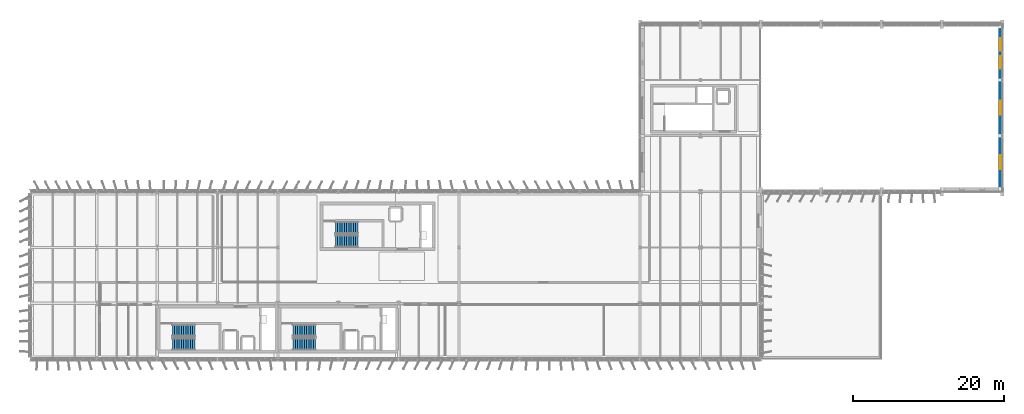
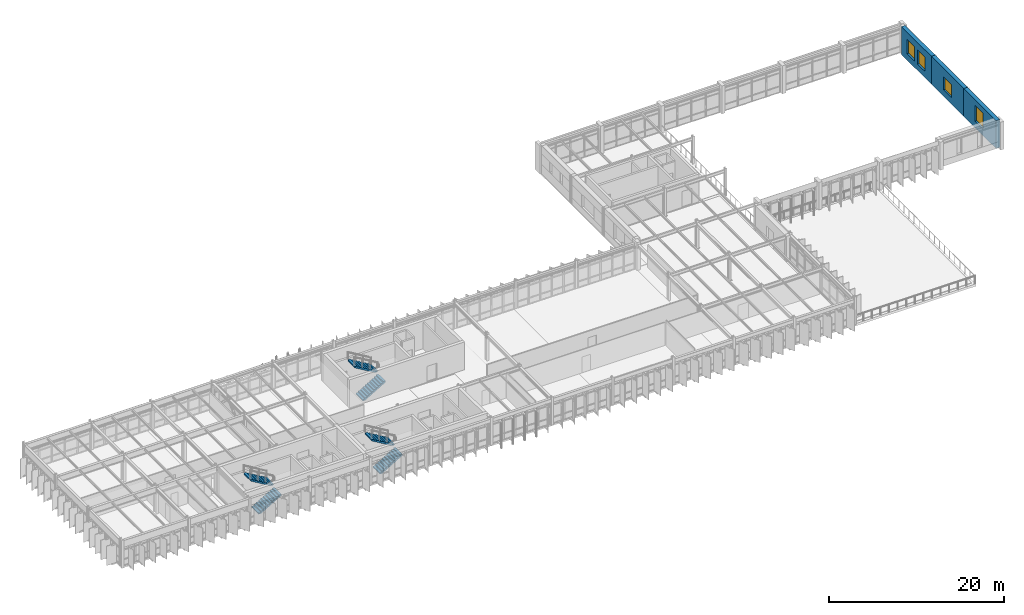
# One storey, part 35 of 45: 6 stair flights, 4 windows, 3 walls, 4 openings, 3 elements without a shape of their own.
"""IFC4 building model written with IfcOpenShell, lengths in metres."""

from ifc_helpers import new_model, si_unit, direction, frame, frame_2d, origin, place, context, subcontext, project, spatial, polyline, rectangle, outline, extrude, material, layer, layer_set, type_object, element, fill, aggregate, save


model = new_model("IFC4")

# Units and contexts
model_context = context("Model", 3, precision=1e-05, world=origin(), true_north=direction((0.0, 1.0)))
body_context = subcontext(model_context, "Body", "Model", "MODEL_VIEW")
ifc_project = project(units=[si_unit("LENGTHUNIT", "METRE"), si_unit("AREAUNIT", "SQUARE_METRE"), si_unit("VOLUMEUNIT", "CUBIC_METRE"), si_unit("PLANEANGLEUNIT", "RADIAN"), si_unit("MASSUNIT", "GRAM", prefix="KILO")], contexts=[model_context])

# Site, building, storey
site_placement = place(None, origin())
site = spatial("IfcSite", under=ifc_project, at=site_placement, CompositionType="ELEMENT")
building_placement = place(site_placement, origin())
building = spatial("IfcBuilding", under=site, at=building_placement, Name="Valkorina Park Police Headquarters", CompositionType="ELEMENT")
storey_placement = place(building_placement, frame((0.0, 0.0, 23.300048828125)))
storey = spatial("IfcBuildingStorey", under=building, at=storey_placement, Name="L06", CompositionType="ELEMENT", Elevation=23.300048828125)

# Wall, openings, windows
ifc_material_1 = material(Name="Precast concrete C40/50", Category="concrete")
ifc_layer_1 = layer(ifc_material_1, 0.5)
ifc_layer_set_1 = layer_set([ifc_layer_1], Name="Precast concrete C40/50")
wall_type = type_object("IfcWallType", Name="WL-EXT-SPANDREL-500", PredefinedType="STANDARD", material=ifc_layer_set_1)
wall_1_placement = place(storey_placement, frame((128.550048828125, 80.840087890625, 0.0), z_axis=(0.0, 0.0, 1.0), x_axis=(0.0, -1.0, 0.0)))
wall_1 = element("IfcWall", 1, at=wall_1_placement, inside=storey, type_object=wall_type, Name="L06 Architectural Concrete Exterior Wall 0271", PredefinedType="STANDARD", context=body_context, shape_type="SweptSolid", body=[
    extrude(rectangle(XDim=6.840087890625, YDim=0.5, at=frame_2d((3.419921875, 0.0))), origin(), (0.0, 0.0, 1.0), 3.89990234375),
])
opening_1_placement = place(wall_1_placement, frame((1.278076171875, 0.0, 0.89990234375)))
opening_1 = element("IfcOpeningElement", 2, at=opening_1_placement, cuts=wall_1, Name="Opening WN-28", PredefinedType="OPENING", context=body_context, shape_type="SweptSolid", body=[
    extrude(rectangle(XDim=1.699951171875, YDim=2.0, at=frame_2d((0.85009765625, 1.0))), frame((0.0, 0.260009765625, 0.0), z_axis=(0.0, -1.0, 0.0), x_axis=(1.0, 0.0, 0.0)), (0.0, 0.0, 1.0), 0.52001953125),
])
opening_2_placement = place(wall_1_placement, frame((3.672119140625, 0.0, 0.89990234375)))
opening_2 = element("IfcOpeningElement", 3, at=opening_2_placement, cuts=wall_1, Name="Opening WN-28", PredefinedType="OPENING", context=body_context, shape_type="SweptSolid", body=[
    extrude(rectangle(XDim=1.699951171875, YDim=2.0, at=frame_2d((0.85009765625, 1.0))), frame((0.0, 0.260009765625, 0.0), z_axis=(0.0, -1.0, 0.0), x_axis=(1.0, 0.0, 0.0)), (0.0, 0.0, 1.0), 0.52001953125),
])
ifc_material_2 = material(Name="Triple low-E insulated glazing", Category="glass")
ifc_layer_2 = layer(ifc_material_2, 0.06005859375)
ifc_layer_set_2 = layer_set([ifc_layer_2], Name="Triple low-E insulated glazing")
window_type_1 = type_object("IfcWindowType", Name="WN-COURT-1700x2000", PartitioningType="SINGLE_PANEL", PredefinedType="WINDOW", material=ifc_layer_set_2)
window_1_placement = place(opening_1_placement, origin())
window_1 = element("IfcWindow", 4, at=window_1_placement, inside=storey, type_object=window_type_1, Name="Window L06-0458", OverallHeight=2.0, OverallWidth=1.699951171875, PartitioningType="SINGLE_PANEL", PredefinedType="WINDOW", context=body_context, shape_type="SweptSolid", body=[
    extrude(rectangle(XDim=1.699951171875, YDim=2.0, at=frame_2d((0.85009765625, 1.0))), frame((0.0, 0.030029296875, 0.0), z_axis=(0.0, -1.0, 0.0), x_axis=(1.0, 0.0, 0.0)), (0.0, 0.0, 1.0), 0.06005859375),
])
fill(opening_1, window_1)
window_2_placement = place(opening_2_placement, origin())
window_2 = element("IfcWindow", 5, at=window_2_placement, inside=storey, type_object=window_type_1, Name="Window L06-0459", OverallHeight=2.0, OverallWidth=1.699951171875, PartitioningType="SINGLE_PANEL", PredefinedType="WINDOW", context=body_context, shape_type="SweptSolid", body=[
    extrude(rectangle(XDim=1.699951171875, YDim=2.0, at=frame_2d((0.85009765625, 1.0))), frame((0.0, 0.030029296875, 0.0), z_axis=(0.0, -1.0, 0.0), x_axis=(1.0, 0.0, 0.0)), (0.0, 0.0, 1.0), 0.06005859375),
])
fill(opening_2, window_2)

# Wall, opening, window
wall_2_placement = place(storey_placement, frame((128.550048828125, 74.0, 0.0), z_axis=(0.0, 0.0, 1.0), x_axis=(0.0, -1.0, 0.0)))
wall_2 = element("IfcWall", 6, at=wall_2_placement, inside=storey, type_object=wall_type, Name="L06 Architectural Concrete Exterior Wall 0272", PredefinedType="STANDARD", context=body_context, shape_type="SweptSolid", body=[
    extrude(rectangle(XDim=7.39990234375, YDim=0.5, at=frame_2d((3.699951171875, 0.0))), origin(), (0.0, 0.0, 1.0), 3.89990234375),
])
opening_3_placement = place(wall_2_placement, frame((2.77490234375, 0.0, 0.89990234375)))
opening_3 = element("IfcOpeningElement", 7, at=opening_3_placement, cuts=wall_2, Name="Opening WN-29", PredefinedType="OPENING", context=body_context, shape_type="SweptSolid", body=[
    extrude(rectangle(XDim=1.85009765625, YDim=1.800048828125, at=frame_2d((0.925048828125, 0.89990234375))), frame((0.0, 0.260009765625, 0.0), z_axis=(0.0, -1.0, 0.0), x_axis=(1.0, 0.0, 0.0)), (0.0, 0.0, 1.0), 0.52001953125),
])
ifc_layer_3 = layer(ifc_material_2, 0.06005859375)
ifc_layer_set_3 = layer_set([ifc_layer_3], Name="Triple low-E insulated glazing")
window_type_2 = type_object("IfcWindowType", Name="WN-OFF-1850x1800", PartitioningType="SINGLE_PANEL", PredefinedType="WINDOW", material=ifc_layer_set_3)
window_3_placement = place(opening_3_placement, origin())
window_3 = element("IfcWindow", 8, at=window_3_placement, inside=storey, type_object=window_type_2, Name="Window L06-0460", OverallHeight=1.800048828125, OverallWidth=1.85009765625, PartitioningType="SINGLE_PANEL", PredefinedType="WINDOW", context=body_context, shape_type="SweptSolid", body=[
    extrude(rectangle(XDim=1.85009765625, YDim=1.800048828125, at=frame_2d((0.925048828125, 0.89990234375))), frame((0.0, 0.030029296875, 0.0), z_axis=(0.0, -1.0, 0.0), x_axis=(1.0, 0.0, 0.0)), (0.0, 0.0, 1.0), 0.06005859375),
])
fill(opening_3, window_3)

wall_3_placement = place(storey_placement, frame((128.550048828125, 66.60009765625, 0.0), z_axis=(0.0, 0.0, 1.0), x_axis=(0.0, -1.0, 0.0)))
wall_3 = element("IfcWall", 9, at=wall_3_placement, inside=storey, type_object=wall_type, Name="L06 Architectural Concrete Exterior Wall 0273", PredefinedType="STANDARD", context=body_context, shape_type="SweptSolid", body=[
    extrude(rectangle(XDim=7.400146484375, YDim=0.5, at=frame_2d((3.7001953125, 0.0))), origin(), (0.0, 0.0, 1.0), 3.89990234375),
])
opening_4_placement = place(wall_3_placement, frame((2.590087890625, 0.0, 0.89990234375)))
opening_4 = element("IfcOpeningElement", 10, at=opening_4_placement, cuts=wall_3, Name="Opening WN-30", PredefinedType="OPENING", context=body_context, shape_type="SweptSolid", body=[
    extrude(rectangle(XDim=1.85009765625, YDim=2.199951171875, at=frame_2d((0.925048828125, 1.10009765625))), frame((0.0, 0.260009765625, 0.0), z_axis=(0.0, -1.0, 0.0), x_axis=(1.0, 0.0, 0.0)), (0.0, 0.0, 1.0), 0.52001953125),
])
ifc_layer_4 = layer(ifc_material_2, 0.06005859375)
ifc_layer_set_4 = layer_set([ifc_layer_4], Name="Triple low-E insulated glazing")
window_type_3 = type_object("IfcWindowType", Name="WN-OFF-1850x2200", PartitioningType="SINGLE_PANEL", PredefinedType="WINDOW", material=ifc_layer_set_4)
window_4_placement = place(opening_4_placement, origin())
window_4 = element("IfcWindow", 11, at=window_4_placement, inside=storey, type_object=window_type_3, Name="Window L06-0461", OverallHeight=2.199951171875, OverallWidth=1.85009765625, PartitioningType="SINGLE_PANEL", PredefinedType="WINDOW", context=body_context, shape_type="SweptSolid", body=[
    extrude(rectangle(XDim=1.85009765625, YDim=2.199951171875, at=frame_2d((0.925048828125, 1.10009765625))), frame((0.0, 0.030029296875, 0.0), z_axis=(0.0, -1.0, 0.0), x_axis=(1.0, 0.0, 0.0)), (0.0, 0.0, 1.0), 0.06005859375),
])
fill(opening_4, window_4)

# Stair, stair flights
ifc_material_3 = material(Name="Concrete C35/45", Category="concrete")
stair_type = type_object("IfcStairType", Name="ST-DOGLEG-160-39", PredefinedType="HALF_TURN_STAIR", material=ifc_material_3)
stair_1_placement = place(storey_placement, origin())
stair_1 = element("IfcStair", 12, at=stair_1_placement, inside=storey, type_object=stair_type, Name="L06 Core C1 Protected Stair (ST-07)", PredefinedType="HALF_TURN_STAIR")
stair_flight_type = type_object("IfcStairFlightType", Name="STF-STRAIGHT-160-39", PredefinedType="STRAIGHT", material=ifc_material_3)
stair_flight_1_placement = place(storey_placement, frame((18.800048828125, 39.0, 0.0), z_axis=(0.0, 0.0, 1.0), x_axis=(1.0, 0.0, 0.0)))
stair_flight_1 = element("IfcStairFlight", 13, at=stair_flight_1_placement, type_object=stair_flight_type, Name="ST-07 flight 1", NumberOfRisers=11, NumberOfTreads=10, PredefinedType="STRAIGHT", RiserHeight=0.177272727, TreadLength=0.3, context=body_context, shape_type="SweptSolid", body=[
    extrude(outline(polyline([(0.0, 0.0), (0.0, 0.17724609375), (0.300048828125, 0.17724609375), (0.300048828125, 0.3544921875), (0.60009765625, 0.3544921875), (0.60009765625, 0.53173828125), (0.89990234375, 0.53173828125), (0.89990234375, 0.708984375), (1.199951171875, 0.708984375), (1.199951171875, 0.886474609375), (1.5, 0.886474609375), (1.5, 1.063720703125), (1.800048828125, 1.063720703125), (1.800048828125, 1.240966796875), (2.10009765625, 1.240966796875), (2.10009765625, 1.418212890625), (2.39990234375, 1.418212890625), (2.39990234375, 1.595458984375), (2.699951171875, 1.595458984375), (2.699951171875, 1.772705078125), (3.0, 1.772705078125), (3.0, 1.949951171875), (3.0, 1.5869140625), (0.314453125, 0.0), (0.0, 0.0)])), frame((0.0, 0.800048828125, 0.0), z_axis=(0.0, -1.0, 0.0), x_axis=(1.0, 0.0, 0.0)), (0.0, 0.0, 1.0), 1.60009765625),
])
stair_flight_2_placement = place(storey_placement, frame((21.800048828125, 40.800048828125, 1.949951171875), z_axis=(0.0, 0.0, 1.0), x_axis=(-1.0, 0.0, 0.0)))
stair_flight_2 = element("IfcStairFlight", 14, at=stair_flight_2_placement, type_object=stair_flight_type, Name="ST-07 flight 2", NumberOfRisers=11, NumberOfTreads=10, PredefinedType="STRAIGHT", RiserHeight=0.177272727, TreadLength=0.3, context=body_context, shape_type="SweptSolid", body=[
    extrude(outline(polyline([(0.0, 0.0), (0.0, 0.17724609375), (0.300048828125, 0.17724609375), (0.300048828125, 0.3544921875), (0.60009765625, 0.3544921875), (0.60009765625, 0.53173828125), (0.89990234375, 0.53173828125), (0.89990234375, 0.708984375), (1.199951171875, 0.708984375), (1.199951171875, 0.886474609375), (1.5, 0.886474609375), (1.5, 1.063720703125), (1.800048828125, 1.063720703125), (1.800048828125, 1.240966796875), (2.10009765625, 1.240966796875), (2.10009765625, 1.418212890625), (2.39990234375, 1.418212890625), (2.39990234375, 1.595458984375), (2.699951171875, 1.595458984375), (2.699951171875, 1.772705078125), (3.0, 1.772705078125), (3.0, 1.949951171875), (3.0, 1.5869140625), (0.314453125, 0.0), (0.0, 0.0)])), frame((0.0, 0.800048828125, 0.0), z_axis=(0.0, -1.0, 0.0), x_axis=(1.0, 0.0, 0.0)), (0.0, 0.0, 1.0), 1.60009765625),
])
aggregate(stair_1, [stair_flight_1, stair_flight_2])

stair_2_placement = place(storey_placement, origin())
stair_2 = element("IfcStair", 15, at=stair_2_placement, inside=storey, type_object=stair_type, Name="L06 Core C2 Protected Stair (ST-07)", PredefinedType="HALF_TURN_STAIR")
stair_flight_3_placement = place(storey_placement, frame((34.800048828125, 39.0, 0.0), z_axis=(0.0, 0.0, 1.0), x_axis=(1.0, 0.0, 0.0)))
stair_flight_3 = element("IfcStairFlight", 16, at=stair_flight_3_placement, type_object=stair_flight_type, Name="ST-07 flight 1", NumberOfRisers=11, NumberOfTreads=10, PredefinedType="STRAIGHT", RiserHeight=0.177272727, TreadLength=0.3, context=body_context, shape_type="SweptSolid", body=[
    extrude(outline(polyline([(0.0, 0.0), (0.0, 0.17724609375), (0.300048828125, 0.17724609375), (0.300048828125, 0.3544921875), (0.60009765625, 0.3544921875), (0.60009765625, 0.53173828125), (0.89990234375, 0.53173828125), (0.89990234375, 0.708984375), (1.199951171875, 0.708984375), (1.199951171875, 0.886474609375), (1.5, 0.886474609375), (1.5, 1.063720703125), (1.800048828125, 1.063720703125), (1.800048828125, 1.240966796875), (2.10009765625, 1.240966796875), (2.10009765625, 1.418212890625), (2.39990234375, 1.418212890625), (2.39990234375, 1.595458984375), (2.699951171875, 1.595458984375), (2.699951171875, 1.772705078125), (3.0, 1.772705078125), (3.0, 1.949951171875), (3.0, 1.5869140625), (0.314453125, 0.0), (0.0, 0.0)])), frame((0.0, 0.800048828125, 0.0), z_axis=(0.0, -1.0, 0.0), x_axis=(1.0, 0.0, 0.0)), (0.0, 0.0, 1.0), 1.60009765625),
])
stair_flight_4_placement = place(storey_placement, frame((37.800048828125, 40.800048828125, 1.949951171875), z_axis=(0.0, 0.0, 1.0), x_axis=(-1.0, 0.0, 0.0)))
stair_flight_4 = element("IfcStairFlight", 17, at=stair_flight_4_placement, type_object=stair_flight_type, Name="ST-07 flight 2", NumberOfRisers=11, NumberOfTreads=10, PredefinedType="STRAIGHT", RiserHeight=0.177272727, TreadLength=0.3, context=body_context, shape_type="SweptSolid", body=[
    extrude(outline(polyline([(0.0, 0.0), (0.0, 0.17724609375), (0.300048828125, 0.17724609375), (0.300048828125, 0.3544921875), (0.60009765625, 0.3544921875), (0.60009765625, 0.53173828125), (0.89990234375, 0.53173828125), (0.89990234375, 0.708984375), (1.199951171875, 0.708984375), (1.199951171875, 0.886474609375), (1.5, 0.886474609375), (1.5, 1.063720703125), (1.800048828125, 1.063720703125), (1.800048828125, 1.240966796875), (2.10009765625, 1.240966796875), (2.10009765625, 1.418212890625), (2.39990234375, 1.418212890625), (2.39990234375, 1.595458984375), (2.699951171875, 1.595458984375), (2.699951171875, 1.772705078125), (3.0, 1.772705078125), (3.0, 1.949951171875), (3.0, 1.5869140625), (0.314453125, 0.0), (0.0, 0.0)])), frame((0.0, 0.800048828125, 0.0), z_axis=(0.0, -1.0, 0.0), x_axis=(1.0, 0.0, 0.0)), (0.0, 0.0, 1.0), 1.60009765625),
])
aggregate(stair_2, [stair_flight_3, stair_flight_4])

stair_3_placement = place(storey_placement, origin())
stair_3 = element("IfcStair", 18, at=stair_3_placement, inside=storey, type_object=stair_type, Name="L06 Core C3 Protected Stair (ST-07)", PredefinedType="HALF_TURN_STAIR")
stair_flight_5_placement = place(storey_placement, frame((40.39990234375, 52.60009765625, 0.0), z_axis=(0.0, 0.0, 1.0), x_axis=(1.0, 0.0, 0.0)))
stair_flight_5 = element("IfcStairFlight", 19, at=stair_flight_5_placement, type_object=stair_flight_type, Name="ST-07 flight 1", NumberOfRisers=11, NumberOfTreads=10, PredefinedType="STRAIGHT", RiserHeight=0.177272727, TreadLength=0.3, context=body_context, shape_type="SweptSolid", body=[
    extrude(outline(polyline([(0.0, 0.0), (0.0, 0.17724609375), (0.300048828125, 0.17724609375), (0.300048828125, 0.3544921875), (0.60009765625, 0.3544921875), (0.60009765625, 0.53173828125), (0.89990234375, 0.53173828125), (0.89990234375, 0.708984375), (1.199951171875, 0.708984375), (1.199951171875, 0.886474609375), (1.5, 0.886474609375), (1.5, 1.063720703125), (1.800048828125, 1.063720703125), (1.800048828125, 1.240966796875), (2.10009765625, 1.240966796875), (2.10009765625, 1.418212890625), (2.39990234375, 1.418212890625), (2.39990234375, 1.595458984375), (2.699951171875, 1.595458984375), (2.699951171875, 1.772705078125), (3.0, 1.772705078125), (3.0, 1.949951171875), (3.0, 1.5869140625), (0.314453125, 0.0), (0.0, 0.0)])), frame((0.0, 0.800048828125, 0.0), z_axis=(0.0, -1.0, 0.0), x_axis=(1.0, 0.0, 0.0)), (0.0, 0.0, 1.0), 1.60009765625),
])
stair_flight_6_placement = place(storey_placement, frame((43.39990234375, 54.39990234375, 1.949951171875), z_axis=(0.0, 0.0, 1.0), x_axis=(-1.0, 0.0, 0.0)))
stair_flight_6 = element("IfcStairFlight", 20, at=stair_flight_6_placement, type_object=stair_flight_type, Name="ST-07 flight 2", NumberOfRisers=11, NumberOfTreads=10, PredefinedType="STRAIGHT", RiserHeight=0.177272727, TreadLength=0.3, context=body_context, shape_type="SweptSolid", body=[
    extrude(outline(polyline([(0.0, 0.0), (0.0, 0.17724609375), (0.300048828125, 0.17724609375), (0.300048828125, 0.3544921875), (0.60009765625, 0.3544921875), (0.60009765625, 0.53173828125), (0.89990234375, 0.53173828125), (0.89990234375, 0.708984375), (1.199951171875, 0.708984375), (1.199951171875, 0.886474609375), (1.5, 0.886474609375), (1.5, 1.063720703125), (1.800048828125, 1.063720703125), (1.800048828125, 1.240966796875), (2.10009765625, 1.240966796875), (2.10009765625, 1.418212890625), (2.39990234375, 1.418212890625), (2.39990234375, 1.595458984375), (2.699951171875, 1.595458984375), (2.699951171875, 1.772705078125), (3.0, 1.772705078125), (3.0, 1.949951171875), (3.0, 1.5869140625), (0.314453125, 0.0), (0.0, 0.0)])), frame((0.0, 0.800048828125, 0.0), z_axis=(0.0, -1.0, 0.0), x_axis=(1.0, 0.0, 0.0)), (0.0, 0.0, 1.0), 1.60009765625),
])
aggregate(stair_3, [stair_flight_5, stair_flight_6])

save(model, "model.ifc")
